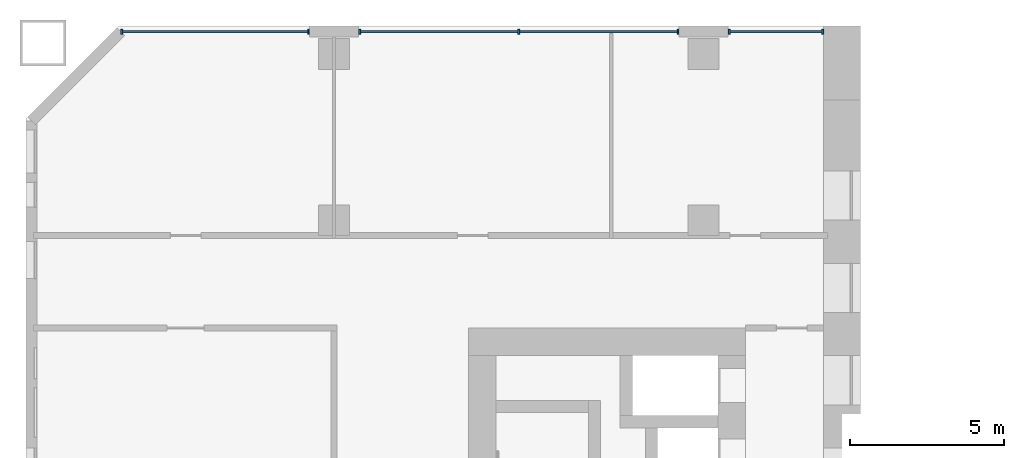
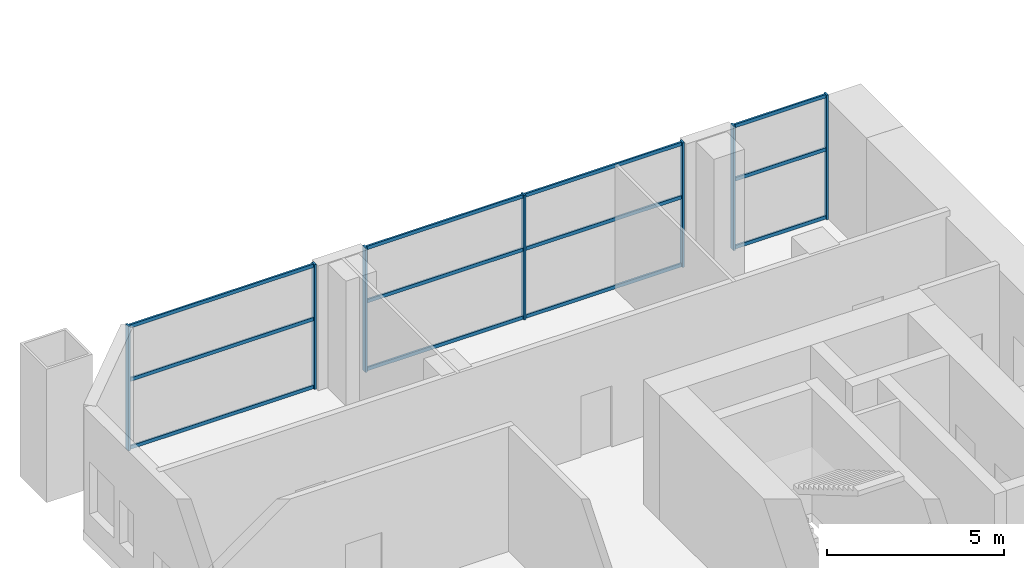
# One storey, part 3 of 19: 19 members, 3 elements without a shape of their own.
"""IFC4 building model written with IfcOpenShell, lengths in metres."""

from ifc_helpers import new_model, si_unit, direction, frame, origin, origin_2d, place, context, subcontext, project, spatial, rectangle, extrude, material, material_profile, profile_set, type_object, element, aggregate, save


model = new_model("IFC4")

# Units and contexts
model_context = context("Model", 3, precision=1e-05, world=origin(), true_north=direction((0.0, 1.0)))
body_context = subcontext(model_context, "Body", "Model", "MODEL_VIEW")
ifc_project = project(units=[si_unit("LENGTHUNIT", "METRE"), si_unit("AREAUNIT", "SQUARE_METRE"), si_unit("VOLUMEUNIT", "CUBIC_METRE"), si_unit("PLANEANGLEUNIT", "RADIAN"), si_unit("MASSUNIT", "GRAM", prefix="KILO")], contexts=[model_context])

# Site, building, storey
site_placement = place(None, origin())
site = spatial("IfcSite", under=ifc_project, at=site_placement, CompositionType="ELEMENT")
building_placement = place(site_placement, origin())
building = spatial("IfcBuilding", under=site, at=building_placement, Name="Tuart Gate Housing", CompositionType="ELEMENT")
storey_placement = place(building_placement, frame((0.0, 0.0, 10.10009765625)))
storey = spatial("IfcBuildingStorey", under=building, at=storey_placement, Name="L02", CompositionType="ELEMENT", Elevation=10.10009765625)

# Curtain wall, members
ifc_material_1 = material(Name="Aluminium and clear glass", Category="aluminium")
curtain_wall_type = type_object("IfcCurtainWallType", Name="Podium health glazing", PredefinedType="USERDEFINED", material=ifc_material_1)
curtain_wall_1_placement = place(storey_placement, origin())
curtain_wall_1 = element("IfcCurtainWall", 1, at=curtain_wall_1_placement, inside=storey, type_object=curtain_wall_type, Name="Podium health glazing A-N L02", ObjectType="PODIUM HEALTH GLAZING", PredefinedType="USERDEFINED")
ifc_material_2 = material(Name="Anodised aluminium", Category="aluminium")
ifc_material_profile_1 = material_profile(ifc_material_2, rectangle(XDim=0.06005859375, YDim=0.159912109375, at=origin_2d()), Name="60x160")
ifc_profile_set_1 = profile_set([ifc_material_profile_1], Name="Anodised aluminium")
member_type_1 = type_object("IfcMemberType", Name="Mullion 60 x 160", PredefinedType="MULLION", material=ifc_profile_set_1)
member_1_placement = place(storey_placement, frame((43.8701171875, 85.820068359375, 0.0), z_axis=(0.0, 0.0, 1.0), x_axis=(-1.0, 0.0, 0.0)))
member_1 = element("IfcMember", 2, at=member_1_placement, type_object=member_type_1, Name="CW1 mullion 1", PredefinedType="MULLION", context=body_context, shape_type="SweptSolid", body=[
    extrude(rectangle(XDim=0.06005859375, YDim=0.159912109375, at=origin_2d()), origin(), (0.0, 0.0, 1.0), 4.2998046875),
])
member_2_placement = place(storey_placement, frame((40.830078125, 85.820068359375, 0.0), z_axis=(0.0, 0.0, 1.0), x_axis=(-1.0, 0.0, 0.0)))
member_2 = element("IfcMember", 3, at=member_2_placement, type_object=member_type_1, Name="CW1 mullion 2", PredefinedType="MULLION", context=body_context, shape_type="SweptSolid", body=[
    extrude(rectangle(XDim=0.06005859375, YDim=0.159912109375, at=origin_2d()), origin(), (0.0, 0.0, 1.0), 4.2998046875),
])

curtain_wall_2_placement = place(storey_placement, origin())
curtain_wall_2 = element("IfcCurtainWall", 4, at=curtain_wall_2_placement, inside=storey, type_object=curtain_wall_type, Name="Podium health glazing A-N L02", ObjectType="PODIUM HEALTH GLAZING", PredefinedType="USERDEFINED")
member_3_placement = place(storey_placement, frame((39.169921875, 85.820068359375, 0.0), z_axis=(0.0, 0.0, 1.0), x_axis=(-1.0, 0.0, 0.0)))
member_3 = element("IfcMember", 5, at=member_3_placement, type_object=member_type_1, Name="CW1 mullion 1", PredefinedType="MULLION", context=body_context, shape_type="SweptSolid", body=[
    extrude(rectangle(XDim=0.06005859375, YDim=0.159912109375, at=origin_2d()), origin(), (0.0, 0.0, 1.0), 4.2998046875),
])
member_4_placement = place(storey_placement, frame((34.0, 85.820068359375, 0.0), z_axis=(0.0, 0.0, 1.0), x_axis=(-1.0, 0.0, 0.0)))
member_4 = element("IfcMember", 6, at=member_4_placement, type_object=member_type_1, Name="CW1 mullion 2", PredefinedType="MULLION", context=body_context, shape_type="SweptSolid", body=[
    extrude(rectangle(XDim=0.06005859375, YDim=0.159912109375, at=origin_2d()), origin(), (0.0, 0.0, 1.0), 4.2998046875),
])
member_5_placement = place(storey_placement, frame((28.830078125, 85.820068359375, 0.0), z_axis=(0.0, 0.0, 1.0), x_axis=(-1.0, 0.0, 0.0)))
member_5 = element("IfcMember", 7, at=member_5_placement, type_object=member_type_1, Name="CW1 mullion 3", PredefinedType="MULLION", context=body_context, shape_type="SweptSolid", body=[
    extrude(rectangle(XDim=0.06005859375, YDim=0.159912109375, at=origin_2d()), origin(), (0.0, 0.0, 1.0), 4.2998046875),
])

curtain_wall_3_placement = place(storey_placement, origin())
curtain_wall_3 = element("IfcCurtainWall", 8, at=curtain_wall_3_placement, inside=storey, type_object=curtain_wall_type, Name="Podium health glazing A-N L02", ObjectType="PODIUM HEALTH GLAZING", PredefinedType="USERDEFINED")
member_6_placement = place(storey_placement, frame((27.169921875, 85.820068359375, 0.0), z_axis=(0.0, 0.0, 1.0), x_axis=(-1.0, 0.0, 0.0)))
member_6 = element("IfcMember", 9, at=member_6_placement, type_object=member_type_1, Name="CW1 mullion 1", PredefinedType="MULLION", context=body_context, shape_type="SweptSolid", body=[
    extrude(rectangle(XDim=0.06005859375, YDim=0.159912109375, at=origin_2d()), origin(), (0.0, 0.0, 1.0), 4.2998046875),
])
member_7_placement = place(storey_placement, frame((21.1044921875, 85.820068359375, 0.0), z_axis=(0.0, 0.0, 1.0), x_axis=(-1.0, 0.0, 0.0)))
member_7 = element("IfcMember", 10, at=member_7_placement, type_object=member_type_1, Name="CW1 mullion 2", PredefinedType="MULLION", context=body_context, shape_type="SweptSolid", body=[
    extrude(rectangle(XDim=0.06005859375, YDim=0.159912109375, at=origin_2d()), origin(), (0.0, 0.0, 1.0), 4.2998046875),
])

# Member
ifc_material_3 = material(Name="Anodised aluminium", Category="aluminium")
ifc_material_profile_2 = material_profile(ifc_material_3, rectangle(XDim=0.06005859375, YDim=0.1201171875, at=origin_2d()), Name="60x120")
ifc_profile_set_2 = profile_set([ifc_material_profile_2], Name="Anodised aluminium")
member_type_2 = type_object("IfcMemberType", Name="Transom 60 x 120", PredefinedType="USERDEFINED", material=ifc_profile_set_2)
member_8_placement = place(storey_placement, frame((43.840087890625, 85.820068359375, 0.059814453125), z_axis=(-1.0, 0.0, 0.0), x_axis=(0.0, -1.0, 0.0)))
member_8 = element("IfcMember", 11, at=member_8_placement, type_object=member_type_2, Name="CW1 transom 1.1", ObjectType="TRANSOM", PredefinedType="USERDEFINED", context=body_context, shape_type="SweptSolid", body=[
    extrude(rectangle(XDim=0.06005859375, YDim=0.1201171875, at=origin_2d()), origin(), (0.0, 0.0, 1.0), 2.97998046875),
])

member_9_placement = place(storey_placement, frame((43.840087890625, 85.820068359375, 2.39990234375), z_axis=(-1.0, 0.0, 0.0), x_axis=(0.0, -1.0, 0.0)))
member_9 = element("IfcMember", 12, at=member_9_placement, type_object=member_type_2, Name="CW1 transom 1.2", ObjectType="TRANSOM", PredefinedType="USERDEFINED", context=body_context, shape_type="SweptSolid", body=[
    extrude(rectangle(XDim=0.06005859375, YDim=0.1201171875, at=origin_2d()), origin(), (0.0, 0.0, 1.0), 2.97998046875),
])

member_10_placement = place(storey_placement, frame((43.840087890625, 85.820068359375, 4.239990234375), z_axis=(-1.0, 0.0, 0.0), x_axis=(0.0, -1.0, 0.0)))
member_10 = element("IfcMember", 13, at=member_10_placement, type_object=member_type_2, Name="CW1 transom 1.3", ObjectType="TRANSOM", PredefinedType="USERDEFINED", context=body_context, shape_type="SweptSolid", body=[
    extrude(rectangle(XDim=0.06005859375, YDim=0.1201171875, at=origin_2d()), origin(), (0.0, 0.0, 1.0), 2.97998046875),
])

aggregate(curtain_wall_1, [member_1, member_2, member_8, member_9, member_10])

member_11_placement = place(storey_placement, frame((39.139892578125, 85.820068359375, 0.059814453125), z_axis=(-1.0, 0.0, 0.0), x_axis=(0.0, -1.0, 0.0)))
member_11 = element("IfcMember", 14, at=member_11_placement, type_object=member_type_2, Name="CW1 transom 1.1", ObjectType="TRANSOM", PredefinedType="USERDEFINED", context=body_context, shape_type="SweptSolid", body=[
    extrude(rectangle(XDim=0.06005859375, YDim=0.1201171875, at=origin_2d()), origin(), (0.0, 0.0, 1.0), 5.10986328125),
])

member_12_placement = place(storey_placement, frame((39.139892578125, 85.820068359375, 2.39990234375), z_axis=(-1.0, 0.0, 0.0), x_axis=(0.0, -1.0, 0.0)))
member_12 = element("IfcMember", 15, at=member_12_placement, type_object=member_type_2, Name="CW1 transom 1.2", ObjectType="TRANSOM", PredefinedType="USERDEFINED", context=body_context, shape_type="SweptSolid", body=[
    extrude(rectangle(XDim=0.06005859375, YDim=0.1201171875, at=origin_2d()), origin(), (0.0, 0.0, 1.0), 5.10986328125),
])

member_13_placement = place(storey_placement, frame((39.139892578125, 85.820068359375, 4.239990234375), z_axis=(-1.0, 0.0, 0.0), x_axis=(0.0, -1.0, 0.0)))
member_13 = element("IfcMember", 16, at=member_13_placement, type_object=member_type_2, Name="CW1 transom 1.3", ObjectType="TRANSOM", PredefinedType="USERDEFINED", context=body_context, shape_type="SweptSolid", body=[
    extrude(rectangle(XDim=0.06005859375, YDim=0.1201171875, at=origin_2d()), origin(), (0.0, 0.0, 1.0), 5.10986328125),
])

member_14_placement = place(storey_placement, frame((33.969970703125, 85.820068359375, 0.059814453125), z_axis=(-1.0, 0.0, 0.0), x_axis=(0.0, -1.0, 0.0)))
member_14 = element("IfcMember", 17, at=member_14_placement, type_object=member_type_2, Name="CW1 transom 2.1", ObjectType="TRANSOM", PredefinedType="USERDEFINED", context=body_context, shape_type="SweptSolid", body=[
    extrude(rectangle(XDim=0.06005859375, YDim=0.1201171875, at=origin_2d()), origin(), (0.0, 0.0, 1.0), 5.10986328125),
])

member_15_placement = place(storey_placement, frame((33.969970703125, 85.820068359375, 2.39990234375), z_axis=(-1.0, 0.0, 0.0), x_axis=(0.0, -1.0, 0.0)))
member_15 = element("IfcMember", 18, at=member_15_placement, type_object=member_type_2, Name="CW1 transom 2.2", ObjectType="TRANSOM", PredefinedType="USERDEFINED", context=body_context, shape_type="SweptSolid", body=[
    extrude(rectangle(XDim=0.06005859375, YDim=0.1201171875, at=origin_2d()), origin(), (0.0, 0.0, 1.0), 5.10986328125),
])

member_16_placement = place(storey_placement, frame((33.969970703125, 85.820068359375, 4.239990234375), z_axis=(-1.0, 0.0, 0.0), x_axis=(0.0, -1.0, 0.0)))
member_16 = element("IfcMember", 19, at=member_16_placement, type_object=member_type_2, Name="CW1 transom 2.3", ObjectType="TRANSOM", PredefinedType="USERDEFINED", context=body_context, shape_type="SweptSolid", body=[
    extrude(rectangle(XDim=0.06005859375, YDim=0.1201171875, at=origin_2d()), origin(), (0.0, 0.0, 1.0), 5.10986328125),
])

aggregate(curtain_wall_2, [member_3, member_4, member_5, member_11, member_12, member_13, member_14, member_15, member_16])

member_17_placement = place(storey_placement, frame((27.139892578125, 85.820068359375, 0.059814453125), z_axis=(-1.0, 0.0, 0.0), x_axis=(0.0, -1.0, 0.0)))
member_17 = element("IfcMember", 20, at=member_17_placement, type_object=member_type_2, Name="CW1 transom 1.1", ObjectType="TRANSOM", PredefinedType="USERDEFINED", context=body_context, shape_type="SweptSolid", body=[
    extrude(rectangle(XDim=0.06005859375, YDim=0.1201171875, at=origin_2d()), origin(), (0.0, 0.0, 1.0), 6.00537109375),
])

member_18_placement = place(storey_placement, frame((27.139892578125, 85.820068359375, 2.39990234375), z_axis=(-1.0, 0.0, 0.0), x_axis=(0.0, -1.0, 0.0)))
member_18 = element("IfcMember", 21, at=member_18_placement, type_object=member_type_2, Name="CW1 transom 1.2", ObjectType="TRANSOM", PredefinedType="USERDEFINED", context=body_context, shape_type="SweptSolid", body=[
    extrude(rectangle(XDim=0.06005859375, YDim=0.1201171875, at=origin_2d()), origin(), (0.0, 0.0, 1.0), 6.00537109375),
])

member_19_placement = place(storey_placement, frame((27.139892578125, 85.820068359375, 4.239990234375), z_axis=(-1.0, 0.0, 0.0), x_axis=(0.0, -1.0, 0.0)))
member_19 = element("IfcMember", 22, at=member_19_placement, type_object=member_type_2, Name="CW1 transom 1.3", ObjectType="TRANSOM", PredefinedType="USERDEFINED", context=body_context, shape_type="SweptSolid", body=[
    extrude(rectangle(XDim=0.06005859375, YDim=0.1201171875, at=origin_2d()), origin(), (0.0, 0.0, 1.0), 6.00537109375),
])

aggregate(curtain_wall_3, [member_6, member_7, member_17, member_18, member_19])

save(model, "model.ifc")
